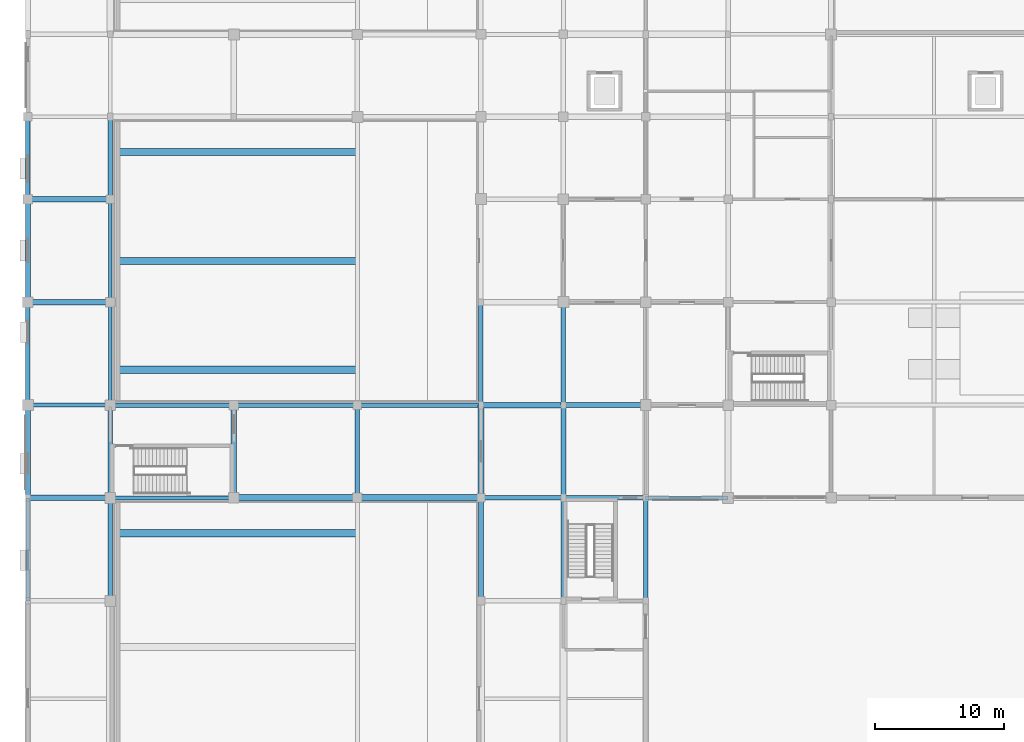
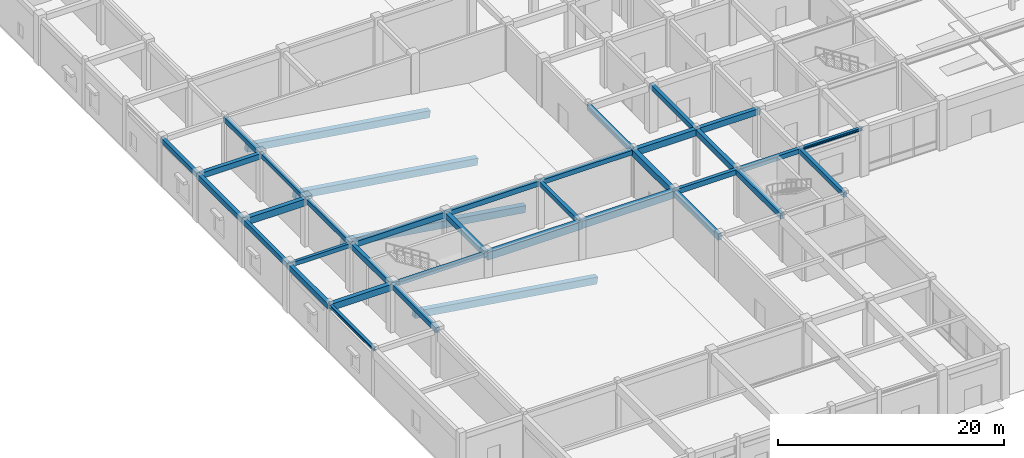
# One storey, part 7 of 40: 38 beams.
"""IFC4 building model written with IfcOpenShell, lengths in metres."""

from ifc_helpers import new_model, si_unit, direction, frame, origin, origin_2d, place, context, subcontext, project, spatial, rectangle, i_section, extrude, material, material_profile, profile_set, type_object, element, save


model = new_model("IFC4")

# Units and contexts
model_context = context("Model", 3, precision=1e-05, world=origin(), true_north=direction((0.0, 1.0)))
body_context = subcontext(model_context, "Body", "Model", "MODEL_VIEW")
ifc_project = project(units=[si_unit("LENGTHUNIT", "METRE"), si_unit("AREAUNIT", "SQUARE_METRE"), si_unit("VOLUMEUNIT", "CUBIC_METRE"), si_unit("PLANEANGLEUNIT", "RADIAN"), si_unit("MASSUNIT", "GRAM", prefix="KILO")], contexts=[model_context])

# Site, building, storey
site_placement = place(None, origin())
site = spatial("IfcSite", under=ifc_project, at=site_placement, CompositionType="ELEMENT")
building_placement = place(site_placement, origin())
building = spatial("IfcBuilding", under=site, at=building_placement, Name="Vellmiral Cinema and Media Centre", CompositionType="ELEMENT")
storey_placement = place(building_placement, origin())
storey = spatial("IfcBuildingStorey", under=building, at=storey_placement, Name="L00", CompositionType="ELEMENT", Elevation=0.0)

# Beams
ifc_material_1 = material(Name="Concrete C40/50", Category="concrete")
ifc_material_profile_1 = material_profile(ifc_material_1, rectangle(XDim=0.300048828125, YDim=0.449951171875, at=origin_2d()), Name="RC 300x450")
ifc_profile_set_1 = profile_set([ifc_material_profile_1], Name="Concrete C40/50")
beam_type_1 = type_object("IfcBeamType", Name="BM-RC-300x450", PredefinedType="BEAM", material=ifc_profile_set_1)
beam_1_placement = place(storey_placement, frame((6.39990234375, 36.0, 4.85009765625), z_axis=(1.0, 0.0, 0.0), x_axis=(0.0, 1.0, 0.0)))
element("IfcBeam", 1, at=beam_1_placement, inside=storey, type_object=beam_type_1, Name="Grid Beam L00-X024", PredefinedType="BEAM", context=body_context, shape_type="SweptSolid", body=[
    extrude(rectangle(XDim=0.300048828125, YDim=0.449951171875, at=origin_2d()), origin(), (0.0, 0.0, 1.0), 9.60009765625),
])
beam_2_placement = place(storey_placement, frame((0.0, 43.199951171875, 4.85009765625), z_axis=(1.0, 0.0, 0.0), x_axis=(0.0, 1.0, 0.0)))
element("IfcBeam", 2, at=beam_2_placement, inside=storey, type_object=beam_type_1, Name="Grid Beam L00-X041", PredefinedType="BEAM", context=body_context, shape_type="SweptSolid", body=[
    extrude(rectangle(XDim=0.300048828125, YDim=0.449951171875, at=origin_2d()), origin(), (0.0, 0.0, 1.0), 6.39990234375),
])
beam_3_placement = place(storey_placement, frame((6.39990234375, 51.199951171875, 4.85009765625), z_axis=(0.0, 1.0, 0.0), x_axis=(-1.0, 0.0, 0.0)))
element("IfcBeam", 3, at=beam_3_placement, inside=storey, type_object=beam_type_1, Name="Grid Beam L00-Y203", PredefinedType="BEAM", context=body_context, shape_type="SweptSolid", body=[
    extrude(rectangle(XDim=0.300048828125, YDim=0.449951171875, at=origin_2d()), origin(), (0.0, 0.0, 1.0), 8.0),
])
ifc_material_2 = material(Name="Concrete C40/50", Category="concrete")
ifc_material_profile_2 = material_profile(ifc_material_2, rectangle(XDim=0.300048828125, YDim=0.5, at=origin_2d()), Name="RC 300x500")
ifc_profile_set_2 = profile_set([ifc_material_profile_2], Name="Concrete C40/50")
beam_type_2 = type_object("IfcBeamType", Name="BM-RC-300x500", PredefinedType="BEAM", material=ifc_profile_set_2)
beam_4_placement = place(storey_placement, frame((6.39990234375, 43.199951171875, 4.824951171875), z_axis=(0.0, 1.0, 0.0), x_axis=(-1.0, 0.0, 0.0)))
element("IfcBeam", 4, at=beam_4_placement, inside=storey, type_object=beam_type_2, Name="Grid Beam L00-Y202", PredefinedType="BEAM", context=body_context, shape_type="SweptSolid", body=[
    extrude(rectangle(XDim=0.300048828125, YDim=0.5, at=origin_2d()), origin(), (0.0, 0.0, 1.0), 8.0),
])
ifc_material_3 = material(Name="Concrete C40/50", Category="concrete")
ifc_material_profile_3 = material_profile(ifc_material_3, rectangle(XDim=0.35009765625, YDim=0.5, at=origin_2d()), Name="RC 350x500")
ifc_profile_set_3 = profile_set([ifc_material_profile_3], Name="Concrete C40/50")
beam_type_3 = type_object("IfcBeamType", Name="BM-RC-350x500", PredefinedType="BEAM", material=ifc_profile_set_3)
beam_5_placement = place(storey_placement, frame((41.60009765625, 36.0, 4.824951171875), z_axis=(1.0, 0.0, 0.0), x_axis=(0.0, 1.0, 0.0)))
element("IfcBeam", 5, at=beam_5_placement, inside=storey, type_object=beam_type_3, Name="Grid Beam L00-X028", PredefinedType="BEAM", context=body_context, shape_type="SweptSolid", body=[
    extrude(rectangle(XDim=0.35009765625, YDim=0.5, at=origin_2d()), origin(), (0.0, 0.0, 1.0), 6.39990234375),
])
beam_6_placement = place(storey_placement, frame((25.60009765625, 43.199951171875, 4.824951171875), z_axis=(1.0, 0.0, 0.0), x_axis=(0.0, 1.0, 0.0)))
element("IfcBeam", 6, at=beam_6_placement, inside=storey, type_object=beam_type_3, Name="Grid Beam L00-X044", PredefinedType="BEAM", context=body_context, shape_type="SweptSolid", body=[
    extrude(rectangle(XDim=0.35009765625, YDim=0.5, at=origin_2d()), origin(), (0.0, 0.0, 1.0), 9.599853515625),
])
beam_7_placement = place(storey_placement, frame((6.39990234375, 59.199951171875, 4.824951171875), z_axis=(0.0, 1.0, 0.0), x_axis=(-1.0, 0.0, 0.0)))
element("IfcBeam", 7, at=beam_7_placement, inside=storey, type_object=beam_type_3, Name="Grid Beam L00-Y204", PredefinedType="BEAM", context=body_context, shape_type="SweptSolid", body=[
    extrude(rectangle(XDim=0.35009765625, YDim=0.5, at=origin_2d()), origin(), (0.0, 0.0, 1.0), 6.400146484375),
])
beam_8_placement = place(storey_placement, frame((25.60009765625, 36.0, 4.824951171875), z_axis=(0.0, 1.0, 0.0), x_axis=(-1.0, 0.0, 0.0)))
element("IfcBeam", 8, at=beam_8_placement, inside=storey, type_object=beam_type_3, Name="Grid Beam L00-Y214", PredefinedType="BEAM", context=body_context, shape_type="SweptSolid", body=[
    extrude(rectangle(XDim=0.35009765625, YDim=0.5, at=origin_2d()), origin(), (0.0, 0.0, 1.0), 7.199951171875),
])
ifc_material_4 = material(Name="Concrete C40/50", Category="concrete")
ifc_material_profile_4 = material_profile(ifc_material_4, rectangle(XDim=0.35009765625, YDim=0.550048828125, at=origin_2d()), Name="RC 350x550")
ifc_profile_set_4 = profile_set([ifc_material_profile_4], Name="Concrete C40/50")
beam_type_4 = type_object("IfcBeamType", Name="BM-RC-350x550", PredefinedType="BEAM", material=ifc_profile_set_4)
beam_9_placement = place(storey_placement, frame((35.199951171875, 36.0, 4.800048828125), z_axis=(1.0, 0.0, 0.0), x_axis=(0.0, 1.0, 0.0)))
element("IfcBeam", 9, at=beam_9_placement, inside=storey, type_object=beam_type_4, Name="Grid Beam L00-X027", PredefinedType="BEAM", context=body_context, shape_type="SweptSolid", body=[
    extrude(rectangle(XDim=0.35009765625, YDim=0.550048828125, at=origin_2d()), origin(), (0.0, 0.0, 1.0), 6.400146484375),
])
beam_10_placement = place(storey_placement, frame((16.0, 43.199951171875, 4.800048828125), z_axis=(1.0, 0.0, 0.0), x_axis=(0.0, 1.0, 0.0)))
element("IfcBeam", 10, at=beam_10_placement, inside=storey, type_object=beam_type_4, Name="Grid Beam L00-X043", PredefinedType="BEAM", context=body_context, shape_type="SweptSolid", body=[
    extrude(rectangle(XDim=0.35009765625, YDim=0.550048828125, at=origin_2d()), origin(), (0.0, 0.0, 1.0), 9.60009765625),
])
for number, where, z_axis, x_axis, name in (
    (11, (6.39990234375, 28.0, 4.800048828125), (0.0, 1.0, 0.0), (-1.0, 0.0, 0.0), "Grid Beam L00-Y200"),
    (12, (41.60009765625, 43.199951171875, 4.800048828125), (0.0, 1.0, 0.0), (-1.0, 0.0, 0.0), "Grid Beam L00-Y233"),
):
    element("IfcBeam", number, at=place(storey_placement, frame(where, z_axis=z_axis, x_axis=x_axis)), inside=storey, type_object=beam_type_4, Name=name, PredefinedType="BEAM", context=body_context, shape_type="SweptSolid", body=[
        extrude(rectangle(XDim=0.35009765625, YDim=0.550048828125, at=origin_2d()), origin(), (0.0, 0.0, 1.0), 8.0),
    ])
ifc_material_5 = material(Name="Concrete C40/50", Category="concrete")
ifc_material_profile_5 = material_profile(ifc_material_5, rectangle(XDim=0.35009765625, YDim=0.60009765625, at=origin_2d()), Name="RC 350x600")
ifc_profile_set_5 = profile_set([ifc_material_profile_5], Name="Concrete C40/50")
beam_type_5 = type_object("IfcBeamType", Name="BM-RC-350x600", PredefinedType="BEAM", material=ifc_profile_set_5)
beam_11_placement = place(storey_placement, frame((6.39990234375, 43.199951171875, 4.77490234375), z_axis=(1.0, 0.0, 0.0), x_axis=(0.0, 1.0, 0.0)))
element("IfcBeam", 13, at=beam_11_placement, inside=storey, type_object=beam_type_5, Name="Grid Beam L00-X042", PredefinedType="BEAM", context=body_context, shape_type="SweptSolid", body=[
    extrude(rectangle(XDim=0.35009765625, YDim=0.60009765625, at=origin_2d()), origin(), (0.0, 0.0, 1.0), 9.60009765625),
])
beam_12_placement = place(storey_placement, frame((6.39990234375, 36.0, 4.77490234375), z_axis=(0.0, 1.0, 0.0), x_axis=(-1.0, 0.0, 0.0)))
element("IfcBeam", 14, at=beam_12_placement, inside=storey, type_object=beam_type_5, Name="Grid Beam L00-Y201", PredefinedType="BEAM", context=body_context, shape_type="SweptSolid", body=[
    extrude(rectangle(XDim=0.35009765625, YDim=0.60009765625, at=origin_2d()), origin(), (0.0, 0.0, 1.0), 7.199951171875),
])
beam_13_placement = place(storey_placement, frame((35.199951171875, 43.199951171875, 4.77490234375), z_axis=(0.0, 1.0, 0.0), x_axis=(-1.0, 0.0, 0.0)))
element("IfcBeam", 15, at=beam_13_placement, inside=storey, type_object=beam_type_5, Name="Grid Beam L00-Y221", PredefinedType="BEAM", context=body_context, shape_type="SweptSolid", body=[
    extrude(rectangle(XDim=0.35009765625, YDim=0.60009765625, at=origin_2d()), origin(), (0.0, 0.0, 1.0), 8.0),
])
ifc_material_6 = material(Name="Concrete C40/50", Category="concrete")
ifc_material_profile_6 = material_profile(ifc_material_6, rectangle(XDim=0.39990234375, YDim=0.60009765625, at=origin_2d()), Name="RC 400x600")
ifc_profile_set_6 = profile_set([ifc_material_profile_6], Name="Concrete C40/50")
beam_type_6 = type_object("IfcBeamType", Name="BM-RC-400x600", PredefinedType="BEAM", material=ifc_profile_set_6)
beam_14_placement = place(storey_placement, frame((0.0, 59.199951171875, 4.77490234375), z_axis=(1.0, 0.0, 0.0), x_axis=(0.0, 1.0, 0.0)))
element("IfcBeam", 16, at=beam_14_placement, inside=storey, type_object=beam_type_6, Name="Grid Beam L00-X069", PredefinedType="BEAM", context=body_context, shape_type="SweptSolid", body=[
    extrude(rectangle(XDim=0.39990234375, YDim=0.60009765625, at=origin_2d()), origin(), (0.0, 0.0, 1.0), 6.39990234375),
])
beam_15_placement = place(storey_placement, frame((16.0, 36.0, 4.77490234375), z_axis=(0.0, 1.0, 0.0), x_axis=(-1.0, 0.0, 0.0)))
element("IfcBeam", 17, at=beam_15_placement, inside=storey, type_object=beam_type_6, Name="Grid Beam L00-Y211", PredefinedType="BEAM", context=body_context, shape_type="SweptSolid", body=[
    extrude(rectangle(XDim=0.39990234375, YDim=0.60009765625, at=origin_2d()), origin(), (0.0, 0.0, 1.0), 7.199951171875),
])
beam_16_placement = place(storey_placement, frame((41.60009765625, 28.0, 4.77490234375), z_axis=(0.0, 1.0, 0.0), x_axis=(-1.0, 0.0, 0.0)))
element("IfcBeam", 18, at=beam_16_placement, inside=storey, type_object=beam_type_6, Name="Grid Beam L00-Y231", PredefinedType="BEAM", context=body_context, shape_type="SweptSolid", body=[
    extrude(rectangle(XDim=0.39990234375, YDim=0.60009765625, at=origin_2d()), origin(), (0.0, 0.0, 1.0), 8.0),
])
ifc_material_7 = material(Name="Concrete C40/50", Category="concrete")
ifc_material_profile_7 = material_profile(ifc_material_7, rectangle(XDim=0.39990234375, YDim=0.64990234375, at=origin_2d()), Name="RC 400x650")
ifc_profile_set_7 = profile_set([ifc_material_profile_7], Name="Concrete C40/50")
beam_type_7 = type_object("IfcBeamType", Name="BM-RC-400x650", PredefinedType="BEAM", material=ifc_profile_set_7)
beam_17_placement = place(storey_placement, frame((41.60009765625, 43.199951171875, 4.75), z_axis=(1.0, 0.0, 0.0), x_axis=(0.0, 1.0, 0.0)))
element("IfcBeam", 19, at=beam_17_placement, inside=storey, type_object=beam_type_7, Name="Grid Beam L00-X046", PredefinedType="BEAM", context=body_context, shape_type="SweptSolid", body=[
    extrude(rectangle(XDim=0.39990234375, YDim=0.64990234375, at=origin_2d()), origin(), (0.0, 0.0, 1.0), 6.39990234375),
])
beam_18_placement = place(storey_placement, frame((35.199951171875, 28.0, 4.75), z_axis=(0.0, 1.0, 0.0), x_axis=(-1.0, 0.0, 0.0)))
element("IfcBeam", 20, at=beam_18_placement, inside=storey, type_object=beam_type_7, Name="Grid Beam L00-Y219", PredefinedType="BEAM", context=body_context, shape_type="SweptSolid", body=[
    extrude(rectangle(XDim=0.39990234375, YDim=0.64990234375, at=origin_2d()), origin(), (0.0, 0.0, 1.0), 8.0),
])
beam_19_placement = place(storey_placement, frame((41.60009765625, 36.0, 4.75), z_axis=(0.0, 1.0, 0.0), x_axis=(-1.0, 0.0, 0.0)))
element("IfcBeam", 21, at=beam_19_placement, inside=storey, type_object=beam_type_7, Name="Grid Beam L00-Y232", PredefinedType="BEAM", context=body_context, shape_type="SweptSolid", body=[
    extrude(rectangle(XDim=0.39990234375, YDim=0.64990234375, at=origin_2d()), origin(), (0.0, 0.0, 1.0), 7.199951171875),
])
ifc_material_8 = material(Name="Concrete C40/50", Category="concrete")
ifc_material_profile_8 = material_profile(ifc_material_8, rectangle(XDim=0.449951171875, YDim=0.699951171875, at=origin_2d()), Name="RC 450x700")
ifc_profile_set_8 = profile_set([ifc_material_profile_8], Name="Concrete C40/50")
beam_type_8 = type_object("IfcBeamType", Name="BM-RC-450x700", PredefinedType="BEAM", material=ifc_profile_set_8)
beam_20_placement = place(storey_placement, frame((0.0, 36.0, 4.72509765625), z_axis=(1.0, 0.0, 0.0), x_axis=(0.0, 1.0, 0.0)))
element("IfcBeam", 22, at=beam_20_placement, inside=storey, type_object=beam_type_8, Name="Grid Beam L00-X023", PredefinedType="BEAM", context=body_context, shape_type="SweptSolid", body=[
    extrude(rectangle(XDim=0.449951171875, YDim=0.699951171875, at=origin_2d()), origin(), (0.0, 0.0, 1.0), 6.39990234375),
])
beam_21_placement = place(storey_placement, frame((35.199951171875, 43.199951171875, 4.72509765625), z_axis=(1.0, 0.0, 0.0), x_axis=(0.0, 1.0, 0.0)))
element("IfcBeam", 23, at=beam_21_placement, inside=storey, type_object=beam_type_8, Name="Grid Beam L00-X045", PredefinedType="BEAM", context=body_context, shape_type="SweptSolid", body=[
    extrude(rectangle(XDim=0.449951171875, YDim=0.699951171875, at=origin_2d()), origin(), (0.0, 0.0, 1.0), 6.400146484375),
])
beam_22_placement = place(storey_placement, frame((35.199951171875, 36.0, 4.72509765625), z_axis=(0.0, 1.0, 0.0), x_axis=(-1.0, 0.0, 0.0)))
element("IfcBeam", 24, at=beam_22_placement, inside=storey, type_object=beam_type_8, Name="Grid Beam L00-Y220", PredefinedType="BEAM", context=body_context, shape_type="SweptSolid", body=[
    extrude(rectangle(XDim=0.449951171875, YDim=0.699951171875, at=origin_2d()), origin(), (0.0, 0.0, 1.0), 7.199951171875),
])
ifc_material_9 = material(Name="Concrete C40/50", Category="concrete")
ifc_material_profile_9 = material_profile(ifc_material_9, rectangle(XDim=0.449951171875, YDim=0.75, at=origin_2d()), Name="RC 450x750")
ifc_profile_set_9 = profile_set([ifc_material_profile_9], Name="Concrete C40/50")
beam_type_9 = type_object("IfcBeamType", Name="BM-RC-450x750", PredefinedType="BEAM", material=ifc_profile_set_9)
beam_23_placement = place(storey_placement, frame((0.0, 51.199951171875, 4.699951171875), z_axis=(1.0, 0.0, 0.0), x_axis=(0.0, 1.0, 0.0)))
element("IfcBeam", 25, at=beam_23_placement, inside=storey, type_object=beam_type_9, Name="Grid Beam L00-X055", PredefinedType="BEAM", context=body_context, shape_type="SweptSolid", body=[
    extrude(rectangle(XDim=0.449951171875, YDim=0.75, at=origin_2d()), origin(), (0.0, 0.0, 1.0), 6.39990234375),
])
ifc_material_10 = material(Name="Concrete C40/50", Category="concrete")
ifc_material_profile_10 = material_profile(ifc_material_10, rectangle(XDim=0.5, YDim=0.800048828125, at=origin_2d()), Name="RC 500x800")
ifc_profile_set_10 = profile_set([ifc_material_profile_10], Name="Concrete C40/50")
beam_type_10 = type_object("IfcBeamType", Name="BM-RC-500x800", PredefinedType="BEAM", material=ifc_profile_set_10)
beam_24_placement = place(storey_placement, frame((25.60009765625, 36.0, 4.675048828125), z_axis=(1.0, 0.0, 0.0), x_axis=(0.0, 1.0, 0.0)))
element("IfcBeam", 26, at=beam_24_placement, inside=storey, type_object=beam_type_10, Name="Grid Beam L00-X026", PredefinedType="BEAM", context=body_context, shape_type="SweptSolid", body=[
    extrude(rectangle(XDim=0.5, YDim=0.800048828125, at=origin_2d()), origin(), (0.0, 0.0, 1.0), 9.599853515625),
])
ifc_material_11 = material(Name="Concrete C40/50", Category="concrete")
ifc_material_profile_11 = material_profile(ifc_material_11, rectangle(XDim=0.5, YDim=0.85009765625, at=origin_2d()), Name="RC 500x850")
ifc_profile_set_11 = profile_set([ifc_material_profile_11], Name="Concrete C40/50")
beam_type_11 = type_object("IfcBeamType", Name="BM-RC-500x850", PredefinedType="BEAM", material=ifc_profile_set_11)
beam_25_placement = place(storey_placement, frame((16.0, 36.0, 4.64990234375), z_axis=(1.0, 0.0, 0.0), x_axis=(0.0, 1.0, 0.0)))
element("IfcBeam", 27, at=beam_25_placement, inside=storey, type_object=beam_type_11, Name="Grid Beam L00-X025", PredefinedType="BEAM", context=body_context, shape_type="SweptSolid", body=[
    extrude(rectangle(XDim=0.5, YDim=0.85009765625, at=origin_2d()), origin(), (0.0, 0.0, 1.0), 9.60009765625),
])
ifc_material_12 = material(Name="Concrete C40/50", Category="concrete")
ifc_material_profile_12 = material_profile(ifc_material_12, rectangle(XDim=0.550048828125, YDim=0.75, at=origin_2d()), Name="RC 550x750")
ifc_profile_set_12 = profile_set([ifc_material_profile_12], Name="Concrete C40/50")
beam_type_12 = type_object("IfcBeamType", Name="RAKER-BMG-550x750", PredefinedType="BEAM", material=ifc_profile_set_12)
for number, where, z_axis, x_axis, name in (
    (28, (7.0, 33.25, 3.167236328125), (0.988997018844, 0.0, -0.147935447809), (0.0, 1.0, 0.0), "Cinema Screen 1 Raker Beam 3"),
    (29, (7.0, 45.949951171875, 3.167236328125), (0.988997018844, 0.0, -0.147935447809), (0.0, 1.0, 0.0), "Cinema Screen 2 Raker Beam 1"),
    (30, (7.0, 54.39990234375, 3.167236328125), (0.988997018844, 0.0, -0.147935447809), (0.0, 1.0, 0.0), "Cinema Screen 2 Raker Beam 2"),
    (31, (7.0, 62.85009765625, 3.167236328125), (0.988997018844, 0.0, -0.147935447809), (0.0, 1.0, 0.0), "Cinema Screen 2 Raker Beam 3"),
):
    element("IfcBeam", number, at=place(storey_placement, frame(where, z_axis=z_axis, x_axis=x_axis)), inside=storey, type_object=beam_type_12, Name=name, PredefinedType="BEAM", context=body_context, shape_type="SweptSolid", body=[
        extrude(rectangle(XDim=0.550048828125, YDim=0.75, at=origin_2d()), origin(), (0.0, 0.0, 1.0), 18.80712890625),
    ])
ifc_material_13 = material(Name="Steel S355", Category="steel")
ifc_material_profile_13 = material_profile(ifc_material_13, i_section(OverallWidth=0.300048828125, OverallDepth=0.300048828125, WebThickness=0.010986328125, FlangeThickness=0.01904296875, FilletRadius=0.027099609375, at=origin_2d()), Name="HEB 300")
ifc_profile_set_13 = profile_set([ifc_material_profile_13], Name="Steel S355")
beam_type_13 = type_object("IfcBeamType", Name="SBM-HEB300", PredefinedType="SPANDREL", material=ifc_profile_set_13)
beam_26_placement = place(storey_placement, frame((48.0, 36.0, 4.925048828125), z_axis=(1.0, 0.0, 0.0), x_axis=(0.0, 1.0, 0.0)))
element("IfcBeam", 32, at=beam_26_placement, inside=storey, type_object=beam_type_13, Name="Grid Beam L00-X029", PredefinedType="SPANDREL", context=body_context, shape_type="SweptSolid", body=[
    extrude(i_section(OverallWidth=0.300048828125, OverallDepth=0.300048828125, WebThickness=0.010986328125, FlangeThickness=0.01904296875, FilletRadius=0.027099609375, at=origin_2d()), origin(), (0.0, 0.0, 1.0), 6.39990234375),
])
beam_27_placement = place(storey_placement, frame((0.0, 28.0, 4.925048828125), z_axis=(0.0, 1.0, 0.0), x_axis=(-1.0, 0.0, 0.0)))
element("IfcBeam", 33, at=beam_27_placement, inside=storey, type_object=beam_type_13, Name="Grid Beam L00-Y189", PredefinedType="SPANDREL", context=body_context, shape_type="SweptSolid", body=[
    extrude(i_section(OverallWidth=0.300048828125, OverallDepth=0.300048828125, WebThickness=0.010986328125, FlangeThickness=0.01904296875, FilletRadius=0.027099609375, at=origin_2d()), origin(), (0.0, 0.0, 1.0), 8.0),
])
ifc_material_14 = material(Name="Concrete C40/50", Category="concrete")
ifc_material_profile_14 = material_profile(ifc_material_14, rectangle(XDim=0.35009765625, YDim=0.56005859375, at=origin_2d()), Name="RC 350x560")
ifc_profile_set_14 = profile_set([ifc_material_profile_14], Name="Concrete C40/50")
beam_type_14 = type_object("IfcBeamType", Name="SPD-RC-350x560", PredefinedType="SPANDREL", material=ifc_profile_set_14)
beam_28_placement = place(storey_placement, frame((0.0, 43.199951171875, 4.794921875), z_axis=(0.0, 1.0, 0.0), x_axis=(-1.0, 0.0, 0.0)))
element("IfcBeam", 34, at=beam_28_placement, inside=storey, type_object=beam_type_14, Name="Grid Beam L00-Y191", PredefinedType="SPANDREL", context=body_context, shape_type="SweptSolid", body=[
    extrude(rectangle(XDim=0.35009765625, YDim=0.56005859375, at=origin_2d()), origin(), (0.0, 0.0, 1.0), 8.0),
])
ifc_material_15 = material(Name="Concrete C40/50", Category="concrete")
ifc_material_profile_15 = material_profile(ifc_material_15, rectangle(XDim=0.39990234375, YDim=0.60009765625, at=origin_2d()), Name="RC 400x600")
ifc_profile_set_15 = profile_set([ifc_material_profile_15], Name="Concrete C40/50")
beam_type_15 = type_object("IfcBeamType", Name="SPD-RC-400x600", PredefinedType="SPANDREL", material=ifc_profile_set_15)
beam_29_placement = place(storey_placement, frame((0.0, 36.0, 4.77490234375), z_axis=(0.0, 1.0, 0.0), x_axis=(-1.0, 0.0, 0.0)))
element("IfcBeam", 35, at=beam_29_placement, inside=storey, type_object=beam_type_15, Name="Grid Beam L00-Y190", PredefinedType="SPANDREL", context=body_context, shape_type="SweptSolid", body=[
    extrude(rectangle(XDim=0.39990234375, YDim=0.60009765625, at=origin_2d()), origin(), (0.0, 0.0, 1.0), 7.199951171875),
])
ifc_material_16 = material(Name="Vosges Red Sandstone Masonry", Category="masonry")
ifc_material_profile_16 = material_profile(ifc_material_16, rectangle(XDim=0.340087890625, YDim=0.52001953125, at=origin_2d()), Name="SAND 340x520")
ifc_profile_set_16 = profile_set([ifc_material_profile_16], Name="Vosges Red Sandstone Masonry")
beam_type_16 = type_object("IfcBeamType", Name="SPD-SAND-340x520", PredefinedType="SPANDREL", material=ifc_profile_set_16)
beam_30_placement = place(storey_placement, frame((0.0, 59.199951171875, 4.81494140625), z_axis=(0.0, 1.0, 0.0), x_axis=(-1.0, 0.0, 0.0)))
element("IfcBeam", 36, at=beam_30_placement, inside=storey, type_object=beam_type_16, Name="Grid Beam L00-Y193", PredefinedType="SPANDREL", context=body_context, shape_type="SweptSolid", body=[
    extrude(rectangle(XDim=0.340087890625, YDim=0.52001953125, at=origin_2d()), origin(), (0.0, 0.0, 1.0), 6.400146484375),
])
beam_31_placement = place(storey_placement, frame((48.0, 28.0, 4.81494140625), z_axis=(0.0, 1.0, 0.0), x_axis=(-1.0, 0.0, 0.0)))
element("IfcBeam", 37, at=beam_31_placement, inside=storey, type_object=beam_type_16, Name="Grid Beam L00-Y243", PredefinedType="SPANDREL", context=body_context, shape_type="SweptSolid", body=[
    extrude(rectangle(XDim=0.340087890625, YDim=0.52001953125, at=origin_2d()), origin(), (0.0, 0.0, 1.0), 8.0),
])
ifc_material_17 = material(Name="Vosges Red Sandstone Masonry", Category="masonry")
ifc_material_profile_17 = material_profile(ifc_material_17, rectangle(XDim=0.3798828125, YDim=0.580078125, at=origin_2d()), Name="SAND 380x580")
ifc_profile_set_17 = profile_set([ifc_material_profile_17], Name="Vosges Red Sandstone Masonry")
beam_type_17 = type_object("IfcBeamType", Name="SPD-SAND-380x580", PredefinedType="SPANDREL", material=ifc_profile_set_17)
beam_32_placement = place(storey_placement, frame((0.0, 51.199951171875, 4.784912109375), z_axis=(0.0, 1.0, 0.0), x_axis=(-1.0, 0.0, 0.0)))
element("IfcBeam", 38, at=beam_32_placement, inside=storey, type_object=beam_type_17, Name="Grid Beam L00-Y192", PredefinedType="SPANDREL", context=body_context, shape_type="SweptSolid", body=[
    extrude(rectangle(XDim=0.3798828125, YDim=0.580078125, at=origin_2d()), origin(), (0.0, 0.0, 1.0), 8.0),
])

save(model, "model.ifc")
